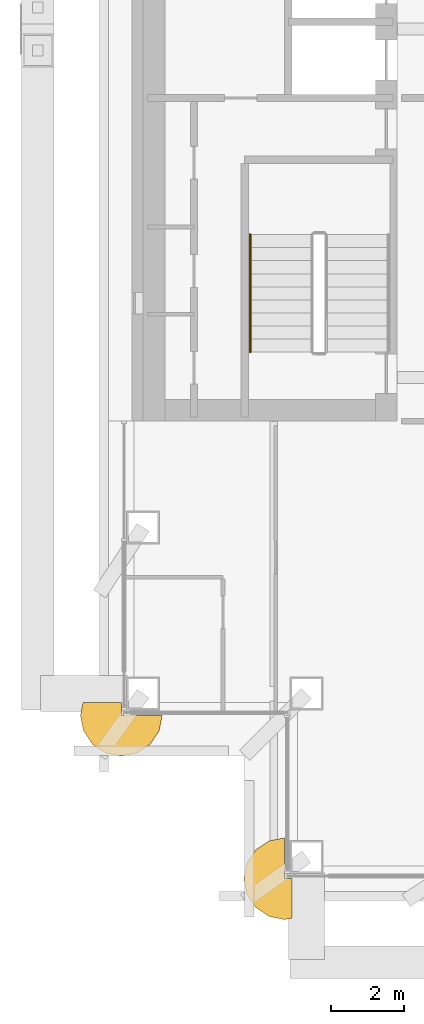
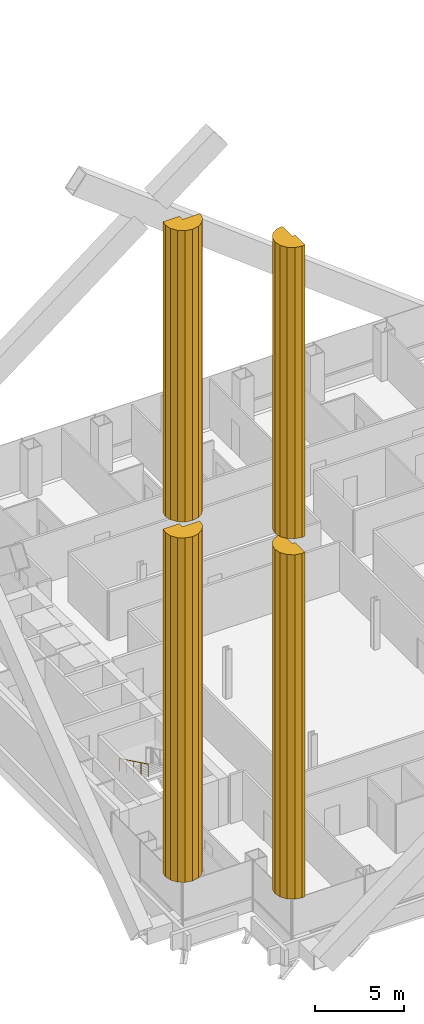
# One storey, part 17 of 22: 4 coverings, 1 railing.
"""IFC4 building model written with IfcOpenShell, lengths in metres."""

from ifc_helpers import new_model, si_unit, direction, frame, origin, origin_2d, place, context, subcontext, project, spatial, polyline, circle, outline, extrude, material, type_object, element, save


model = new_model("IFC4")

# Units and contexts
model_context = context("Model", 3, precision=1e-05, world=origin(), true_north=direction((0.0, 1.0)))
body_context = subcontext(model_context, "Body", "Model", "MODEL_VIEW")
ifc_project = project(units=[si_unit("LENGTHUNIT", "METRE"), si_unit("AREAUNIT", "SQUARE_METRE"), si_unit("VOLUMEUNIT", "CUBIC_METRE"), si_unit("PLANEANGLEUNIT", "RADIAN"), si_unit("MASSUNIT", "GRAM", prefix="KILO")], contexts=[model_context])

# Site, building, storey
site_placement = place(None, origin())
site = spatial("IfcSite", under=ifc_project, at=site_placement, CompositionType="ELEMENT")
building_placement = place(site_placement, origin())
building = spatial("IfcBuilding", under=site, at=building_placement, Name="Cobrizo Arcos Hotel Tower", CompositionType="ELEMENT")
storey_placement = place(building_placement, frame((0.0, 0.0, 89.0)))
storey = spatial("IfcBuildingStorey", under=building, at=storey_placement, Name="L21", CompositionType="ELEMENT", Elevation=89.0)

# Coverings
ifc_material_1 = material(Name="Aluminium 6063-T6 anodised pale", Category="aluminium")
covering_type = type_object("IfcCoveringType", Name="RB-2 notch bullnose roll R1125", PredefinedType="CLADDING", material=ifc_material_1)
covering_1_placement = place(storey_placement, frame((0.0, 0.0, 4.362548828125)))
element("IfcCovering", 1, at=covering_1_placement, inside=storey, type_object=covering_type, Name="Notch bullnose roll 13", PredefinedType="CLADDING", context=body_context, shape_type="SweptSolid", body=[
    extrude(outline(polyline([(-19.695556640625, -22.6044921875), (-19.939453125, -22.969482421875), (-20.02490234375, -23.39990234375), (-19.939453125, -23.83056640625), (-19.695556640625, -24.195556640625), (-19.33056640625, -24.439453125), (-18.89990234375, -24.52490234375), (-18.699951171875, -24.485107421875), (-18.699951171875, -23.39990234375), (-18.89990234375, -23.39990234375), (-18.89990234375, -22.27490234375), (-19.33056640625, -22.360595703125), (-19.695556640625, -22.6044921875)])), origin(), (0.0, 0.0, 1.0), 23.58740234375),
])
covering_2_placement = place(storey_placement, frame((0.0, 0.0, 29.050048828125)))
element("IfcCovering", 2, at=covering_2_placement, inside=storey, type_object=covering_type, Name="Notch bullnose roll 13 part 2", PredefinedType="CLADDING", context=body_context, shape_type="SweptSolid", body=[
    extrude(outline(polyline([(-19.695556640625, -22.6044921875), (-19.939453125, -22.969482421875), (-20.02490234375, -23.39990234375), (-19.939453125, -23.83056640625), (-19.695556640625, -24.195556640625), (-19.33056640625, -24.439453125), (-18.89990234375, -24.52490234375), (-18.699951171875, -24.485107421875), (-18.699951171875, -23.39990234375), (-18.89990234375, -23.39990234375), (-18.89990234375, -22.27490234375), (-19.33056640625, -22.360595703125), (-19.695556640625, -22.6044921875)])), origin(), (0.0, 0.0, 1.0), 19.949951171875),
])
covering_3_placement = place(storey_placement, frame((0.0, 0.0, 4.362548828125)))
element("IfcCovering", 3, at=covering_3_placement, inside=storey, type_object=covering_type, Name="Notch bullnose roll 16", PredefinedType="CLADDING", context=body_context, shape_type="SweptSolid", body=[
    extrude(outline(polyline([(-22.6044921875, -19.695556640625), (-22.360595703125, -19.33056640625), (-22.27490234375, -18.89990234375), (-23.39990234375, -18.89990234375), (-23.39990234375, -18.550048828125), (-24.455322265625, -18.550048828125), (-24.52490234375, -18.89990234375), (-24.439453125, -19.33056640625), (-24.195556640625, -19.695556640625), (-23.83056640625, -19.939453125), (-23.39990234375, -20.02490234375), (-22.969482421875, -19.939453125), (-22.6044921875, -19.695556640625)])), origin(), (0.0, 0.0, 1.0), 23.58740234375),
])
covering_4_placement = place(storey_placement, frame((0.0, 0.0, 29.050048828125)))
element("IfcCovering", 4, at=covering_4_placement, inside=storey, type_object=covering_type, Name="Notch bullnose roll 16 part 2", PredefinedType="CLADDING", context=body_context, shape_type="SweptSolid", body=[
    extrude(outline(polyline([(-22.6044921875, -19.695556640625), (-22.360595703125, -19.33056640625), (-22.27490234375, -18.89990234375), (-23.39990234375, -18.89990234375), (-23.39990234375, -18.550048828125), (-24.455322265625, -18.550048828125), (-24.52490234375, -18.89990234375), (-24.439453125, -19.33056640625), (-24.195556640625, -19.695556640625), (-23.83056640625, -19.939453125), (-23.39990234375, -20.02490234375), (-22.969482421875, -19.939453125), (-22.6044921875, -19.695556640625)])), origin(), (0.0, 0.0, 1.0), 19.949951171875),
])

# Railing
ifc_material_2 = material(Name="Stainless steel railing", Category="steel")
railing_type = type_object("IfcRailingType", Name="Stair handrail", PredefinedType="HANDRAIL", material=ifc_material_2)
railing_placement = place(storey_placement, frame((-19.85009765625, -5.659912109375, 1.925048828125)))
element("IfcRailing", 5, at=railing_placement, inside=storey, type_object=railing_type, Name="L21 ST-W stair handrail 2", PredefinedType="HANDRAIL", context=body_context, shape_type="SweptSolid", body=[
    extrude(circle(Radius=0.02392578125, at=origin_2d()), frame((0.0, 0.0, 0.8759765625), z_axis=(0.0, -0.899372665325, 0.437182809435), x_axis=(1.0, 0.0, 0.0)), (0.0, 0.0, 1.0), 3.6025390625),
    extrude(circle(Radius=0.02099609375, at=origin_2d()), origin(), (0.0, 0.0, 1.0), 0.851806640625),
    extrude(circle(Radius=0.02099609375, at=origin_2d()), frame((0.0, -0.81005859375, 0.393798828125)), (0.0, 0.0, 1.0), 0.851806640625),
    extrude(circle(Radius=0.02099609375, at=origin_2d()), frame((0.0, -1.6201171875, 0.78759765625)), (0.0, 0.0, 1.0), 0.851806640625),
    extrude(circle(Radius=0.02099609375, at=origin_2d()), frame((0.0, -2.429931640625, 1.18115234375)), (0.0, 0.0, 1.0), 0.851806640625),
    extrude(circle(Radius=0.02099609375, at=origin_2d()), frame((0.0, -3.239990234375, 1.574951171875)), (0.0, 0.0, 1.0), 0.851806640625),
])

save(model, "model.ifc")
